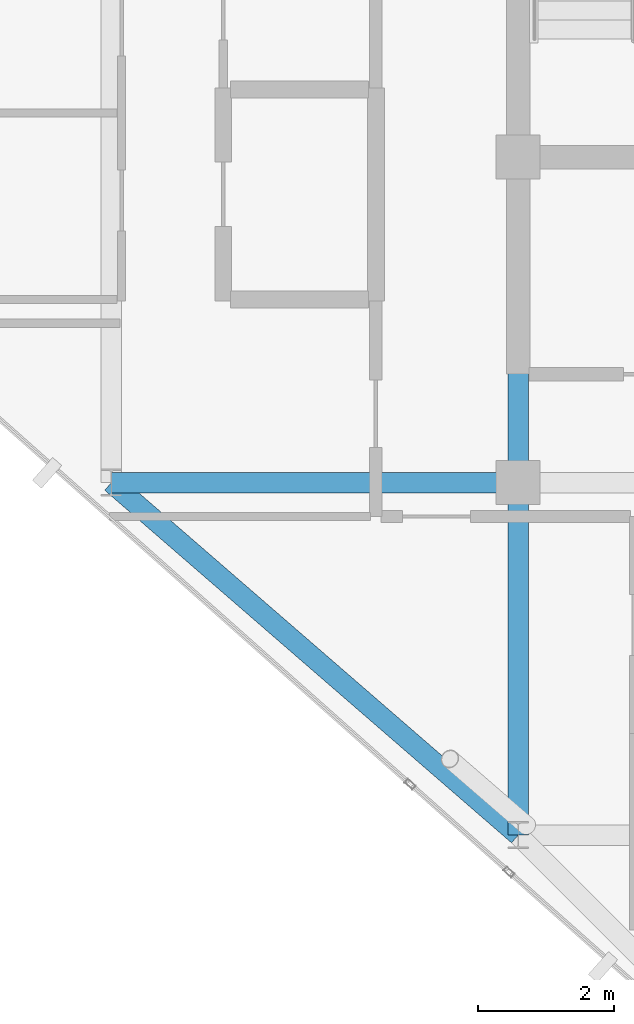
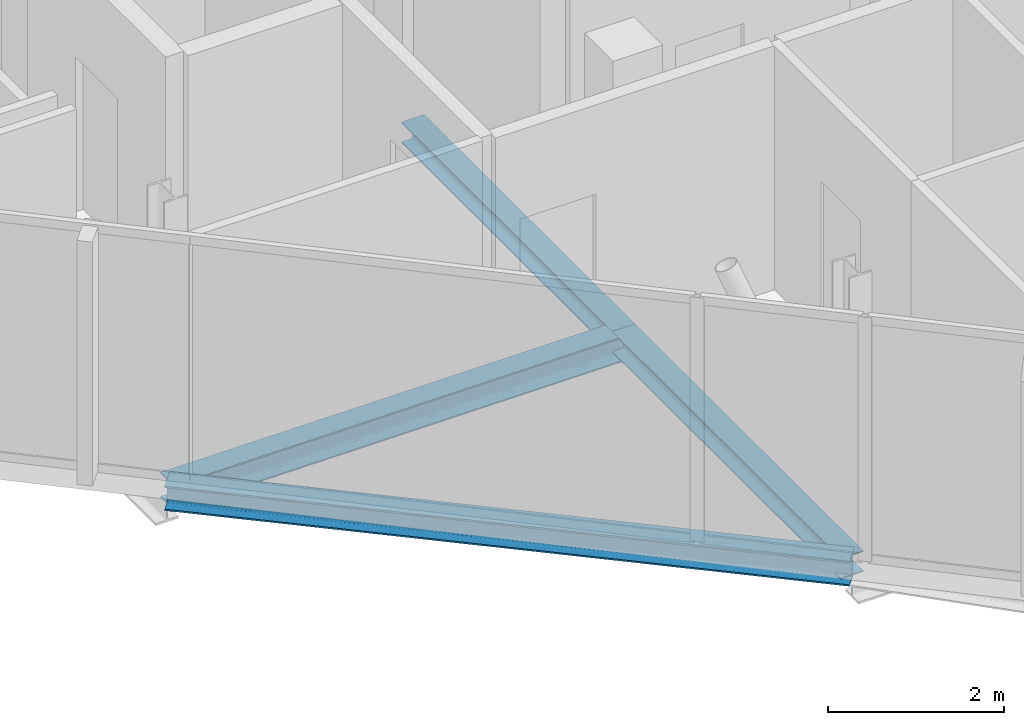
# One storey, part 5 of 28: 4 beams.
"""IFC4 building model written with IfcOpenShell, lengths in metres."""

import ifcopenshell
import ifcopenshell.guid

model = None  # the IFC model being written
_history = None  # IfcOwnerHistory: only IFC2X3 demands one
_inside = {}  # id of a spatial element -> (the spatial element, [elements in it])
_under = {}  # id of a project, library or spatial element -> (it, [spatial elements below it])
_declared = {}  # id of a project -> (the project, [libraries it declares])
_typed = {}  # id of a type object -> (the type object, [elements of that type])
_made_of = {}  # id of a material, layer set ... -> (it, [elements and type objects made of it])


def new_model(schema):
    """Start an empty IFC model of exactly this schema.

    Asked for "IFC4X3", IfcOpenShell would pick the latest addendum, in which some entities
    have other attributes; the version numbers below select the first issue.
    IFC2X3 requires an IfcOwnerHistory on every rooted entity: one is made here for all.
    """
    global model, _history
    if schema == "IFC4X3":
        model = ifcopenshell.file(schema_version=(4, 3, 0, 0))
    else:
        model = ifcopenshell.file(schema=schema)
    _inside.clear()
    _under.clear()
    _declared.clear()
    _typed.clear()
    _made_of.clear()
    _history = None
    if model.schema == "IFC2X3":
        org = make("IfcOrganization", Name="unknown")
        user = make(
            "IfcPersonAndOrganization",
            ThePerson=make("IfcPerson", FamilyName="unknown"),
            TheOrganization=org,
        )
        app = make(
            "IfcApplication",
            ApplicationDeveloper=org,
            Version="unknown",
            ApplicationFullName="unknown",
            ApplicationIdentifier="unknown",
        )
        _history = make(
            "IfcOwnerHistory",
            OwningUser=user,
            OwningApplication=app,
            ChangeAction="ADDED",
            CreationDate=0,
        )
    return model


def make(cls, **values):
    """One entity of the class cls with the attributes given. An attribute that is None is left unset."""
    return model.create_entity(
        cls, **{name: value for name, value in values.items() if value is not None}
    )


def rooted(cls, **values):
    """An entity with a GlobalId (a new one), such as an element, a storey or a relation."""
    return make(cls, GlobalId=ifcopenshell.guid.new(), OwnerHistory=_history, **values)


def si_unit(unit_type, name, prefix=None):
    """IfcSIUnit, for example si_unit("LENGTHUNIT", "METRE", prefix="MILLI")."""
    return make("IfcSIUnit", UnitType=unit_type, Prefix=prefix, Name=name)


def assignment(units):
    """IfcUnitAssignment: the units of a project."""
    return None if units is None else make("IfcUnitAssignment", Units=units)


def point(xyz):
    """IfcCartesianPoint."""
    return None if xyz is None else make("IfcCartesianPoint", Coordinates=xyz)


def direction(xyz):
    """IfcDirection."""
    return None if xyz is None else make("IfcDirection", DirectionRatios=xyz)


def frame(location, z_axis=None, x_axis=None):
    """IfcAxis2Placement3D, a coordinate frame: its origin and axes. An axis left out is left unset."""
    return make(
        "IfcAxis2Placement3D",
        Location=point(location),
        Axis=direction(z_axis),
        RefDirection=direction(x_axis),
    )


def frame_2d(location, x_axis=None):
    """IfcAxis2Placement2D, a coordinate frame in the plane: its origin and x axis."""
    return make(
        "IfcAxis2Placement2D", Location=point(location), RefDirection=direction(x_axis)
    )


def origin():
    """The frame at (0, 0, 0) with its axes left unset."""
    return frame((0.0, 0.0, 0.0))


def origin_2d():
    """The frame at (0, 0) in the plane with its x axis left unset."""
    return frame_2d((0.0, 0.0))


def place(relative_to, where):
    """IfcLocalPlacement: puts the frame where relative to a parent placement (None: the world)."""
    return make(
        "IfcLocalPlacement", PlacementRelTo=relative_to, RelativePlacement=where
    )


def context(
    kind, dimensions, precision=None, world=None, true_north=None, identifier=None
):
    """IfcGeometricRepresentationContext, for example the 3D "Model" context."""
    return make(
        "IfcGeometricRepresentationContext",
        ContextIdentifier=identifier,
        ContextType=kind,
        CoordinateSpaceDimension=dimensions,
        Precision=precision,
        WorldCoordinateSystem=world,
        TrueNorth=true_north,
    )


def subcontext(parent, identifier, kind, view, scale=None):
    """IfcGeometricRepresentationSubContext, for example "Body" below "Model"."""
    return make(
        "IfcGeometricRepresentationSubContext",
        ContextIdentifier=identifier,
        ContextType=kind,
        ParentContext=parent,
        TargetScale=scale,
        TargetView=view,
    )


def project(units=None, contexts=None):
    """IfcProject with its units and contexts."""
    return rooted(
        "IfcProject",
        Name="project",
        RepresentationContexts=contexts,
        UnitsInContext=assignment(units),
    )


def spatial(cls, under=None, at=None, **own):
    """A site, building, storey or space (cls), placed at a placement, below another one or the project."""
    s = rooted(cls, ObjectPlacement=at, **own)
    if under is not None:
        _under.setdefault(under.id(), (under, []))[1].append(s)
    return s


def profile(cls, at=None, kind="AREA", **sizes):
    """A parametric profile (cls). Its sizes go by their IFC names, for example OverallWidth=200.0."""
    return make(cls, ProfileType=kind, Position=at, **sizes)


def i_section(**sizes):
    """IfcIShapeProfileDef."""
    return profile("IfcIShapeProfileDef", **sizes)


def extrude(swept, where, along, depth):
    """IfcExtrudedAreaSolid: the profile swept, set in the frame where, extruded along a direction by depth."""
    return make(
        "IfcExtrudedAreaSolid",
        SweptArea=swept,
        Position=where,
        ExtrudedDirection=direction(along),
        Depth=depth,
    )


def shape(context_of_items, identifier, shape_type, items):
    """IfcShapeRepresentation: the items that make up one representation, for example the "Body"."""
    return make(
        "IfcShapeRepresentation",
        ContextOfItems=context_of_items,
        RepresentationIdentifier=identifier,
        RepresentationType=shape_type,
        Items=items,
    )


def material(Name=None, Category=None):
    """IfcMaterial."""
    return make("IfcMaterial", Name=Name, Category=Category)


def material_profile(
    of_material, cross_section, Name=None, Category=None, Priority=None
):
    """IfcMaterialProfile: a cross section and its material."""
    return make(
        "IfcMaterialProfile",
        Name=Name,
        Material=of_material,
        Profile=cross_section,
        Priority=Priority,
        Category=Category,
    )


def profile_set(profiles, Name=None, composite=None):
    """IfcMaterialProfileSet."""
    return make(
        "IfcMaterialProfileSet",
        Name=Name,
        MaterialProfiles=profiles,
        CompositeProfile=composite,
    )


def made_of(thing, what):
    """Note that an element or type object is made of a material, layer set ...; save() writes the relation."""
    if what is not None:
        _made_of.setdefault(what.id(), (what, []))[1].append(thing)
    return thing


def type_object(cls, material=None, **own):
    """A type object (cls), such as IfcWallType, which elements share."""
    return made_of(rooted(cls, **own), material)


def element(
    cls,
    number,
    at=None,
    inside=None,
    cuts=None,
    type_object=None,
    material=None,
    context=None,
    identifier="Body",
    shape_type=None,
    held_by="IfcProductDefinitionShape",
    body=None,
    shapes=None,
    **own,
):
    """One element of the class cls, such as IfcWall. Its Tag is "e" and its number.

    at: its placement. inside: the storey or other place that contains it. cuts: it is an
    opening in that element (IfcRelVoidsElement). A single representation is given by context,
    identifier, shape_type and body (its items); several are given by shapes. held_by: the class
    of the entity that holds the representations. save() writes the other relations.
    """
    e = rooted(cls, Tag="e%d" % number, ObjectPlacement=at, **own)
    if body is not None:
        shapes = [shape(context, identifier, shape_type, body)]
    if shapes is not None:
        e.Representation = make(held_by, Representations=shapes)
    if inside is not None:
        _inside.setdefault(inside.id(), (inside, []))[1].append(e)
    if cuts is not None:
        rooted(
            "IfcRelVoidsElement", RelatingBuildingElement=cuts, RelatedOpeningElement=e
        )
    if type_object is not None:
        _typed.setdefault(type_object.id(), (type_object, []))[1].append(e)
    return made_of(e, material)


def aggregate(whole, parts):
    """IfcRelAggregates: a whole, such as a stair, and the parts it consists of."""
    return rooted("IfcRelAggregates", RelatingObject=whole, RelatedObjects=parts)


def save(model, path):
    """Write the relations noted so far, then the file.

    IfcRelAggregates (storeys below a building ...), IfcRelContainedInSpatialStructure (elements
    in a storey), IfcRelDefinesByType, IfcRelAssociatesMaterial and IfcRelDeclares: one each for
    every whole, place, type object, material and project.
    """
    for whole, parts in _under.values():
        aggregate(whole, parts)
    for where, things in _inside.values():
        rooted(
            "IfcRelContainedInSpatialStructure",
            RelatedElements=things,
            RelatingStructure=where,
        )
    for kind, things in _typed.values():
        rooted("IfcRelDefinesByType", RelatedObjects=things, RelatingType=kind)
    for what, things in _made_of.values():
        rooted("IfcRelAssociatesMaterial", RelatedObjects=things, RelatingMaterial=what)
    for by, libraries in _declared.values():
        rooted("IfcRelDeclares", RelatingContext=by, RelatedDefinitions=libraries)
    model.write(path)


model = new_model("IFC4")

# Units and contexts
model_context = context("Model", 3, precision=1e-05, world=origin(), true_north=direction((0.0, 1.0)))
body_context = subcontext(model_context, "Body", "Model", "MODEL_VIEW")
ifc_project = project(units=[si_unit("LENGTHUNIT", "METRE"), si_unit("AREAUNIT", "SQUARE_METRE"), si_unit("VOLUMEUNIT", "CUBIC_METRE"), si_unit("PLANEANGLEUNIT", "RADIAN"), si_unit("MASSUNIT", "GRAM", prefix="KILO")], contexts=[model_context])

# Site, building, storey
site_placement = place(None, origin())
site = spatial("IfcSite", under=ifc_project, at=site_placement, CompositionType="ELEMENT")
building_placement = place(site_placement, origin())
building = spatial("IfcBuilding", under=site, at=building_placement, Name="Keshet Zoharim Tower", CompositionType="ELEMENT")
storey_placement = place(building_placement, frame((0.0, 0.0, 303.60009765625)))
storey = spatial("IfcBuildingStorey", under=building, at=storey_placement, Name="L76", CompositionType="ELEMENT", Elevation=303.60009765625)

# Beams
ifc_material = material(Name="Steel S355", Category="steel")
ifc_material_profile_1 = material_profile(ifc_material, i_section(OverallWidth=0.300048828125, OverallDepth=0.2900390625, WebThickness=0.008544921875, FlangeThickness=0.013916015625, FilletRadius=0.027099609375, at=origin_2d()), Name="HEA300")
ifc_profile_set_1 = profile_set([ifc_material_profile_1], Name="Steel S355")
beam_type_1 = type_object("IfcBeamType", Name="BM-PRI-HA300", PredefinedType="BEAM", material=ifc_profile_set_1)
beam_1_placement = place(storey_placement, frame((15.0, 12.699951171875, -0.455078125), z_axis=(0.0, 1.0, 0.0), x_axis=(-1.0, 0.0, 0.0)))
element("IfcBeam", 1, at=beam_1_placement, inside=storey, type_object=beam_type_1, Name="L76 Primary Girder Y-002", PredefinedType="BEAM", context=body_context, shape_type="SweptSolid", body=[
    extrude(i_section(OverallWidth=0.300048828125, OverallDepth=0.2900390625, WebThickness=0.008544921875, FlangeThickness=0.013916015625, FilletRadius=0.027099609375, at=origin_2d()), origin(), (0.0, 0.0, 1.0), 5.199951171875),
])
beam_2_placement = place(storey_placement, frame((15.0, 17.89990234375, -0.455078125), z_axis=(0.0, 1.0, 0.0), x_axis=(-1.0, 0.0, 0.0)))
element("IfcBeam", 2, at=beam_2_placement, inside=storey, type_object=beam_type_1, Name="L76 Primary Girder Y-003", PredefinedType="BEAM", context=body_context, shape_type="SweptSolid", body=[
    extrude(i_section(OverallWidth=0.300048828125, OverallDepth=0.2900390625, WebThickness=0.008544921875, FlangeThickness=0.013916015625, FilletRadius=0.027099609375, at=origin_2d()), origin(), (0.0, 0.0, 1.0), 4.800048828125),
])
ifc_material_profile_2 = material_profile(ifc_material, i_section(OverallWidth=0.300048828125, OverallDepth=0.35009765625, WebThickness=0.010009765625, FlangeThickness=0.017578125, FilletRadius=0.027099609375, at=origin_2d()), Name="HEA360")
ifc_profile_set_2 = profile_set([ifc_material_profile_2], Name="Steel S355")
beam_type_2 = type_object("IfcBeamType", Name="BM-PRI-HA360", PredefinedType="BEAM", material=ifc_profile_set_2)
beam_3_placement = place(storey_placement, frame((9.0, 17.89990234375, -0.485107421875), z_axis=(1.0, 0.0, 0.0), x_axis=(0.0, 1.0, 0.0)))
element("IfcBeam", 3, at=beam_3_placement, inside=storey, type_object=beam_type_2, Name="L76 Primary Girder X-005", PredefinedType="BEAM", context=body_context, shape_type="SweptSolid", body=[
    extrude(i_section(OverallWidth=0.300048828125, OverallDepth=0.35009765625, WebThickness=0.010009765625, FlangeThickness=0.017578125, FilletRadius=0.027099609375, at=origin_2d()), origin(), (0.0, 0.0, 1.0), 6.0),
])
ifc_material_profile_3 = material_profile(ifc_material, i_section(OverallWidth=0.300048828125, OverallDepth=0.340087890625, WebThickness=0.011962890625, FlangeThickness=0.021484375, FilletRadius=0.027099609375, at=origin_2d()), Name="HEB340")
ifc_profile_set_3 = profile_set([ifc_material_profile_3], Name="Steel S355")
beam_type_3 = type_object("IfcBeamType", Name="BM-SPN-HB340", PredefinedType="SPANDREL", material=ifc_profile_set_3)
beam_4_placement = place(storey_placement, frame((9.0, 17.89990234375, -0.47998046875), z_axis=(0.755692126483, -0.654927026447, 0.0), x_axis=(0.654927026447, 0.755692126483, 0.0)))
element("IfcBeam", 4, at=beam_4_placement, inside=storey, type_object=beam_type_3, Name="L76 Perimeter Spandrel Beam 02", PredefinedType="SPANDREL", context=body_context, shape_type="SweptSolid", body=[
    extrude(i_section(OverallWidth=0.300048828125, OverallDepth=0.340087890625, WebThickness=0.011962890625, FlangeThickness=0.021484375, FilletRadius=0.027099609375, at=origin_2d()), origin(), (0.0, 0.0, 1.0), 7.939697265625),
])

save(model, "model.ifc")
